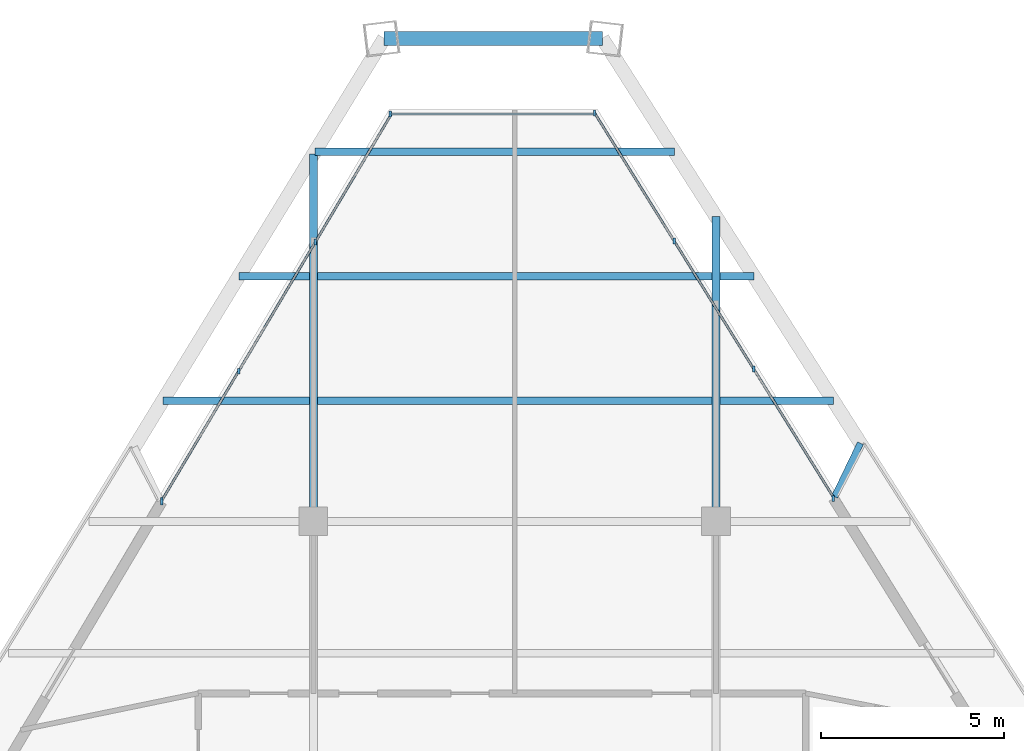
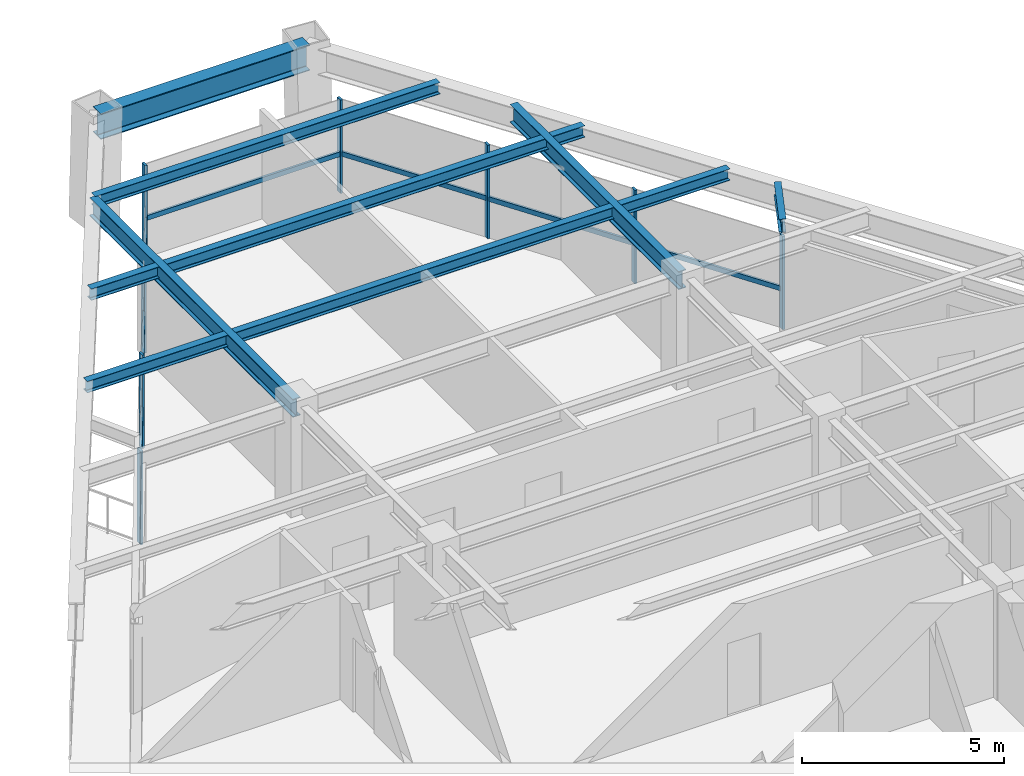
# One storey, part 6 of 12: 16 members, 10 beams, 3 elements without a shape of their own.
"""IFC4 building model written with IfcOpenShell, lengths in metres."""

from ifc_helpers import new_model, si_unit, direction, frame, origin, origin_2d, place, context, subcontext, project, spatial, rectangle, i_section, extrude, source, transform, mapped, material, material_profile, profile_set, type_object, element, aggregate, save


model = new_model("IFC4")

# Units and contexts
model_context = context("Model", 3, precision=1e-05, world=origin(), true_north=direction((0.0, 1.0)))
body_context = subcontext(model_context, "Body", "Model", "MODEL_VIEW")
ifc_project = project(units=[si_unit("LENGTHUNIT", "METRE"), si_unit("AREAUNIT", "SQUARE_METRE"), si_unit("VOLUMEUNIT", "CUBIC_METRE"), si_unit("PLANEANGLEUNIT", "RADIAN"), si_unit("MASSUNIT", "GRAM", prefix="KILO")], contexts=[model_context])

# Site, building, storey
site_placement = place(None, origin())
site = spatial("IfcSite", under=ifc_project, at=site_placement, CompositionType="ELEMENT")
building_placement = place(site_placement, origin())
building = spatial("IfcBuilding", under=site, at=building_placement, Name="Varnakhor Terracotta Tower", CompositionType="ELEMENT")
storey_placement = place(building_placement, frame((0.0, 0.0, 230.35009765625)))
storey = spatial("IfcBuildingStorey", under=building, at=storey_placement, Name="L59", CompositionType="ELEMENT", Elevation=230.35009765625)

# Beams
ifc_material_1 = material(Name="Steel S355", Category="steel")
ifc_material_profile_1 = material_profile(ifc_material_1, i_section(OverallWidth=0.202880859375, OverallDepth=0.346923828125, WebThickness=0.0078125, FlangeThickness=0.013427734375, FilletRadius=0.01806640625, at=origin_2d()), Name="W14X43")
ifc_profile_set_1 = profile_set([ifc_material_profile_1], Name="Steel S355")
beam_type_1 = type_object("IfcBeamType", Name="JST-W14X43", PredefinedType="JOIST", material=ifc_profile_set_1)
shared_shape_1 = source(origin(), body_context, "Body", "SweptSolid", [
    extrude(i_section(OverallWidth=0.202880859375, OverallDepth=0.346923828125, WebThickness=0.0078125, FlangeThickness=0.013427734375, FilletRadius=0.01806640625, at=origin_2d()), origin(), (0.0, 0.0, 1.0), 10.7939453125),
])
beam_1_placement = place(storey_placement, frame((-5.39697265625, 34.800048828125, 3.06640625), z_axis=(1.0, 0.0, 0.0), x_axis=(0.0, 1.0, 0.0)))
element("IfcBeam", 1, at=beam_1_placement, inside=storey, type_object=beam_type_1, Name="L59 Composite Floor Joist 7-2", PredefinedType="JOIST", context=body_context, shape_type="MappedRepresentation", body=[
    mapped(shared_shape_1, transform((0.0, 0.0, 0.0), scale=1.0)),
])
ifc_material_profile_2 = material_profile(ifc_material_1, i_section(OverallWidth=0.381103515625, OverallDepth=0.77294921875, WebThickness=0.01708984375, FlangeThickness=0.027099609375, FilletRadius=0.01806640625, at=origin_2d()), Name="W30X173")
ifc_profile_set_2 = profile_set([ifc_material_profile_2], Name="Steel S355")
beam_type_2 = type_object("IfcBeamType", Name="BM-W30X173", PredefinedType="BEAM", material=ifc_profile_set_2)
shared_shape_2 = source(origin(), body_context, "Body", "SweptSolid", [
    extrude(i_section(OverallWidth=0.381103515625, OverallDepth=0.77294921875, WebThickness=0.01708984375, FlangeThickness=0.027099609375, FilletRadius=0.01806640625, at=origin_2d()), origin(), (0.0, 0.0, 1.0), 5.9599609375),
])
beam_2_placement = place(storey_placement, frame((2.39306640625, 44.70068359375, 2.853515625), z_axis=(-1.0, 0.0, 0.0), x_axis=(0.0, -1.0, 0.0)))
element("IfcBeam", 2, at=beam_2_placement, inside=storey, type_object=beam_type_2, Name="L59 Perimeter Spandrel 5", PredefinedType="BEAM", context=body_context, shape_type="MappedRepresentation", body=[
    mapped(shared_shape_2, transform((0.0, 0.0, 0.0), scale=1.0)),
])
ifc_material_profile_3 = material_profile(ifc_material_1, i_section(OverallWidth=0.214111328125, OverallDepth=0.549072265625, WebThickness=0.014892578125, FlangeThickness=0.02392578125, FilletRadius=0.01806640625, at=origin_2d()), Name="W21X93")
ifc_profile_set_3 = profile_set([ifc_material_profile_3], Name="Steel S355")
beam_type_3 = type_object("IfcBeamType", Name="BM-W21X93", PredefinedType="BEAM", material=ifc_profile_set_3)
shared_shape_3 = source(origin(), body_context, "Body", "SweptSolid", [
    extrude(i_section(OverallWidth=0.214111328125, OverallDepth=0.549072265625, WebThickness=0.014892578125, FlangeThickness=0.02392578125, FilletRadius=0.01806640625, at=origin_2d()), origin(), (0.0, 0.0, 1.0), 10.0380859375),
])
beam_3_placement = place(storey_placement, frame((-5.5, 31.5, 2.96533203125), z_axis=(0.0, 1.0, 0.0), x_axis=(-1.0, 0.0, 0.0)))
element("IfcBeam", 3, at=beam_3_placement, inside=storey, type_object=beam_type_3, Name="L59 Primary Girder NS3-W", PredefinedType="BEAM", context=body_context, shape_type="MappedRepresentation", body=[
    mapped(shared_shape_3, transform((0.0, 0.0, 0.0), scale=1.0)),
])
shared_shape_4 = source(origin(), body_context, "Body", "SweptSolid", [
    extrude(i_section(OverallWidth=0.214111328125, OverallDepth=0.549072265625, WebThickness=0.014892578125, FlangeThickness=0.02392578125, FilletRadius=0.01806640625, at=origin_2d()), origin(), (0.0, 0.0, 1.0), 8.326904296875),
])
beam_4_placement = place(storey_placement, frame((5.5, 31.5, 2.96533203125), z_axis=(0.0, 1.0, 0.0), x_axis=(-1.0, 0.0, 0.0)))
element("IfcBeam", 4, at=beam_4_placement, inside=storey, type_object=beam_type_3, Name="L59 Primary Girder NS3-E", PredefinedType="BEAM", context=body_context, shape_type="MappedRepresentation", body=[
    mapped(shared_shape_4, transform((0.0, 0.0, 0.0), scale=1.0)),
])
shared_shape_5 = source(origin(), body_context, "Body", "SweptSolid", [
    extrude(i_section(OverallWidth=0.202880859375, OverallDepth=0.346923828125, WebThickness=0.0078125, FlangeThickness=0.013427734375, FilletRadius=0.01806640625, at=origin_2d()), origin(), (0.0, 0.0, 1.0), 4.015380859375),
])
beam_5_placement = place(storey_placement, frame((-9.618408203125, 34.800048828125, 3.06640625), z_axis=(1.0, 0.0, 0.0), x_axis=(0.0, 1.0, 0.0)))
element("IfcBeam", 5, at=beam_5_placement, inside=storey, type_object=beam_type_1, Name="L59 Composite Floor Joist 7-1", PredefinedType="JOIST", context=body_context, shape_type="MappedRepresentation", body=[
    mapped(shared_shape_5, transform((0.0, 0.0, 0.0), scale=1.0)),
])
shared_shape_6 = source(origin(), body_context, "Body", "SweptSolid", [
    extrude(i_section(OverallWidth=0.202880859375, OverallDepth=0.346923828125, WebThickness=0.0078125, FlangeThickness=0.013427734375, FilletRadius=0.01806640625, at=origin_2d()), origin(), (0.0, 0.0, 1.0), 3.1015625),
])
beam_6_placement = place(storey_placement, frame((5.60302734375, 34.800048828125, 3.06640625), z_axis=(1.0, 0.0, 0.0), x_axis=(0.0, 1.0, 0.0)))
element("IfcBeam", 6, at=beam_6_placement, inside=storey, type_object=beam_type_1, Name="L59 Composite Floor Joist 7-3", PredefinedType="JOIST", context=body_context, shape_type="MappedRepresentation", body=[
    mapped(shared_shape_6, transform((0.0, 0.0, 0.0), scale=1.0)),
])
shared_shape_7 = source(origin(), body_context, "Body", "SweptSolid", [
    extrude(i_section(OverallWidth=0.202880859375, OverallDepth=0.346923828125, WebThickness=0.0078125, FlangeThickness=0.013427734375, FilletRadius=0.01806640625, at=origin_2d()), origin(), (0.0, 0.0, 1.0), 1.937255859375),
])
beam_7_placement = place(storey_placement, frame((-7.540283203125, 38.199951171875, 3.06640625), z_axis=(1.0, 0.0, 0.0), x_axis=(0.0, 1.0, 0.0)))
element("IfcBeam", 7, at=beam_7_placement, inside=storey, type_object=beam_type_1, Name="L59 Composite Floor Joist 8-1", PredefinedType="JOIST", context=body_context, shape_type="MappedRepresentation", body=[
    mapped(shared_shape_7, transform((0.0, 0.0, 0.0), scale=1.0)),
])
shared_shape_8 = source(origin(), body_context, "Body", "SweptSolid", [
    extrude(i_section(OverallWidth=0.202880859375, OverallDepth=0.346923828125, WebThickness=0.0078125, FlangeThickness=0.013427734375, FilletRadius=0.01806640625, at=origin_2d()), origin(), (0.0, 0.0, 1.0), 11.93408203125),
])
beam_8_placement = place(storey_placement, frame((-5.39697265625, 38.199951171875, 3.06640625), z_axis=(1.0, 0.0, 0.0), x_axis=(0.0, 1.0, 0.0)))
element("IfcBeam", 8, at=beam_8_placement, inside=storey, type_object=beam_type_1, Name="L59 Composite Floor Joist 8-2", PredefinedType="JOIST", context=body_context, shape_type="MappedRepresentation", body=[
    mapped(shared_shape_8, transform((0.0, 0.0, 0.0), scale=1.0)),
])
shared_shape_9 = source(origin(), body_context, "Body", "SweptSolid", [
    extrude(i_section(OverallWidth=0.202880859375, OverallDepth=0.346923828125, WebThickness=0.0078125, FlangeThickness=0.013427734375, FilletRadius=0.01806640625, at=origin_2d()), origin(), (0.0, 0.0, 1.0), 9.831787109375),
])
beam_9_placement = place(storey_placement, frame((-5.462158203125, 41.60009765625, 3.06640625), z_axis=(1.0, 0.0, 0.0), x_axis=(0.0, 1.0, 0.0)))
element("IfcBeam", 9, at=beam_9_placement, inside=storey, type_object=beam_type_1, Name="L59 Composite Floor Joist 9-1", PredefinedType="JOIST", context=body_context, shape_type="MappedRepresentation", body=[
    mapped(shared_shape_9, transform((0.0, 0.0, 0.0), scale=1.0)),
])
ifc_material_profile_4 = material_profile(ifc_material_1, i_section(OverallWidth=0.179931640625, OverallDepth=0.39990234375, WebThickness=0.008544921875, FlangeThickness=0.013427734375, FilletRadius=0.01806640625, at=origin_2d()), Name="IPE400")
ifc_profile_set_4 = profile_set([ifc_material_profile_4], Name="Steel S355")
beam_type_4 = type_object("IfcBeamType", Name="JST-IPE400", PredefinedType="JOIST", material=ifc_profile_set_4)
shared_shape_10 = source(origin(), body_context, "Body", "SweptSolid", [
    extrude(i_section(OverallWidth=0.179931640625, OverallDepth=0.39990234375, WebThickness=0.008544921875, FlangeThickness=0.013427734375, FilletRadius=0.01806640625, at=origin_2d()), origin(), (0.0, 0.0, 1.0), 1.62255859375),
])
beam_10_placement = place(storey_placement, frame((8.743408203125, 32.17236328125, 3.039794921875), z_axis=(0.434105141668, 0.900862212537, 0.0), x_axis=(-0.900862212537, 0.434105141668, 0.0)))
element("IfcBeam", 10, at=beam_10_placement, inside=storey, type_object=beam_type_4, Name="L60 E Loggia Tie Beam 1", PredefinedType="JOIST", context=body_context, shape_type="MappedRepresentation", body=[
    mapped(shared_shape_10, transform((0.0, 0.0, 0.0), scale=1.0)),
])

# Curtain wall, members
ifc_material_2 = material(Name="Anodised Aluminium Curtain Wall System", Category="aluminium")
curtain_wall_type = type_object("IfcCurtainWallType", Name="CW-SYS-HOTEL-LOGGIA", PredefinedType="NOTDEFINED", material=ifc_material_2)
curtain_wall_1_placement = place(storey_placement, origin())
curtain_wall_1 = element("IfcCurtainWall", 11, at=curtain_wall_1_placement, inside=storey, type_object=curtain_wall_type, Name="L59 W Facet Curtain Wall 2", PredefinedType="NOTDEFINED")
ifc_material_3 = material(Name="Anodised Aluminium 6063-T6", Category="aluminium")
ifc_material_profile_5 = material_profile(ifc_material_3, rectangle(XDim=0.06494140625, YDim=0.159912109375, at=origin_2d()), Name="ALU MULLION 65x160")
ifc_profile_set_5 = profile_set([ifc_material_profile_5], Name="Anodised Aluminium 6063-T6")
member_type_1 = type_object("IfcMemberType", Name="CWM-04", PredefinedType="MULLION", material=ifc_profile_set_5)
shared_shape_11 = source(origin(), body_context, "Body", "SweptSolid", [
    extrude(rectangle(XDim=0.06494140625, YDim=0.159912109375, at=origin_2d()), origin(), (0.0, 0.0, 1.0), 2.81982421875),
])
member_1_placement = place(storey_placement, frame((-9.6455078125, 32.069091796875, 0.0), z_axis=(0.0, 0.0, 1.0), x_axis=(1.0, 0.0, 0.0)))
member_1 = element("IfcMember", 12, at=member_1_placement, type_object=member_type_1, Name="L59 W Facet Curtain Wall 2 Mullion 1", PredefinedType="MULLION", context=body_context, shape_type="MappedRepresentation", body=[
    mapped(shared_shape_11, transform((0.0, 0.0, 0.0), scale=1.0)),
])
member_2_placement = place(storey_placement, frame((-7.546630859375, 35.601318359375, 0.0), z_axis=(0.0, 0.0, 1.0), x_axis=(1.0, 0.0, 0.0)))
member_2 = element("IfcMember", 13, at=member_2_placement, type_object=member_type_1, Name="L59 W Facet Curtain Wall 2 Mullion 2", PredefinedType="MULLION", context=body_context, shape_type="MappedRepresentation", body=[
    mapped(shared_shape_11, transform((0.0, 0.0, 0.0), scale=1.0)),
])
member_3_placement = place(storey_placement, frame((-5.44775390625, 39.133544921875, 0.0), z_axis=(0.0, 0.0, 1.0), x_axis=(1.0, 0.0, 0.0)))
member_3 = element("IfcMember", 14, at=member_3_placement, type_object=member_type_1, Name="L59 W Facet Curtain Wall 2 Mullion 3", PredefinedType="MULLION", context=body_context, shape_type="MappedRepresentation", body=[
    mapped(shared_shape_11, transform((0.0, 0.0, 0.0), scale=1.0)),
])
member_4_placement = place(storey_placement, frame((-9.6435546875, 32.033203125, 0.0), z_axis=(0.0, 0.0, 1.0), x_axis=(1.0, 0.0, 0.0)))
member_4 = element("IfcMember", 15, at=member_4_placement, type_object=member_type_1, Name="L59 W Loggia Jamb Closure Mullion 2", PredefinedType="MULLION", context=body_context, shape_type="MappedRepresentation", body=[
    mapped(shared_shape_11, transform((0.0, 0.0, 0.0), scale=1.0)),
])

# Curtain wall, member
curtain_wall_2_placement = place(storey_placement, origin())
curtain_wall_2 = element("IfcCurtainWall", 16, at=curtain_wall_2_placement, inside=storey, type_object=curtain_wall_type, Name="L59 Facet Curtain Wall 2", PredefinedType="NOTDEFINED")
member_5_placement = place(storey_placement, frame((-3.40673828125, 42.6328125, 0.0), z_axis=(0.0, 0.0, 1.0), x_axis=(1.0, 0.0, 0.0)))
member_5 = element("IfcMember", 17, at=member_5_placement, type_object=member_type_1, Name="L59 Facet Curtain Wall 2 Mullion 1", PredefinedType="MULLION", context=body_context, shape_type="MappedRepresentation", body=[
    mapped(shared_shape_11, transform((0.0, 0.0, 0.0), scale=1.0)),
])

# Curtain wall, members
curtain_wall_3_placement = place(storey_placement, origin())
curtain_wall_3 = element("IfcCurtainWall", 18, at=curtain_wall_3_placement, inside=storey, type_object=curtain_wall_type, Name="L59 E Facet Curtain Wall 1", PredefinedType="NOTDEFINED")
member_6_placement = place(storey_placement, frame((2.180419921875, 42.6640625, 0.0), z_axis=(0.0, 0.0, 1.0), x_axis=(1.0, 0.0, 0.0)))
member_6 = element("IfcMember", 19, at=member_6_placement, type_object=member_type_1, Name="L59 E Facet Curtain Wall 1 Mullion 1", PredefinedType="MULLION", context=body_context, shape_type="MappedRepresentation", body=[
    mapped(shared_shape_11, transform((0.0, 0.0, 0.0), scale=1.0)),
])
member_7_placement = place(storey_placement, frame((4.3564453125, 39.1630859375, 0.0), z_axis=(0.0, 0.0, 1.0), x_axis=(1.0, 0.0, 0.0)))
member_7 = element("IfcMember", 20, at=member_7_placement, type_object=member_type_1, Name="L59 E Facet Curtain Wall 1 Mullion 2", PredefinedType="MULLION", context=body_context, shape_type="MappedRepresentation", body=[
    mapped(shared_shape_11, transform((0.0, 0.0, 0.0), scale=1.0)),
])
member_8_placement = place(storey_placement, frame((6.532470703125, 35.662353515625, 0.0), z_axis=(0.0, 0.0, 1.0), x_axis=(1.0, 0.0, 0.0)))
member_8 = element("IfcMember", 21, at=member_8_placement, type_object=member_type_1, Name="L59 E Facet Curtain Wall 1 Mullion 3", PredefinedType="MULLION", context=body_context, shape_type="MappedRepresentation", body=[
    mapped(shared_shape_11, transform((0.0, 0.0, 0.0), scale=1.0)),
])
member_9_placement = place(storey_placement, frame((8.70751953125, 32.12548828125, 0.0), z_axis=(0.0, 0.0, 1.0), x_axis=(1.0, 0.0, 0.0)))
member_9 = element("IfcMember", 22, at=member_9_placement, type_object=member_type_1, Name="L59 E Loggia Jamb Closure Mullion 1", PredefinedType="MULLION", context=body_context, shape_type="MappedRepresentation", body=[
    mapped(shared_shape_11, transform((0.0, 0.0, 0.0), scale=1.0)),
])

# Member
ifc_material_profile_6 = material_profile(ifc_material_3, rectangle(XDim=0.06494140625, YDim=0.14501953125, at=origin_2d()), Name="ALU TRANSOM 65x145")
ifc_profile_set_6 = profile_set([ifc_material_profile_6], Name="Anodised Aluminium 6063-T6")
member_type_2 = type_object("IfcMemberType", Name="CWT-04", PredefinedType="USERDEFINED", material=ifc_profile_set_6)
shared_shape_12 = source(origin(), body_context, "Body", "SweptSolid", [
    extrude(rectangle(XDim=0.06494140625, YDim=0.14501953125, at=origin_2d()), origin(), (0.0, 0.0, 1.0), 4.108642578125),
])
member_10_placement = place(storey_placement, frame((-9.6455078125, 32.069091796875, 1.184326171875), z_axis=(0.510829773392, 0.859681884546, 0.0), x_axis=(-0.859681884546, 0.510829773392, 0.0)))
member_10 = element("IfcMember", 23, at=member_10_placement, type_object=member_type_2, Name="L59 W Facet Curtain Wall 2 Transom 1", ObjectType="TRANSOM", PredefinedType="USERDEFINED", context=body_context, shape_type="MappedRepresentation", body=[
    mapped(shared_shape_12, transform((0.0, 0.0, 0.0), scale=1.0)),
])

member_11_placement = place(storey_placement, frame((-7.546630859375, 35.601318359375, 1.184326171875), z_axis=(0.510829773392, 0.859681884546, 0.0), x_axis=(-0.859681884546, 0.510829773392, 0.0)))
member_11 = element("IfcMember", 24, at=member_11_placement, type_object=member_type_2, Name="L59 W Facet Curtain Wall 2 Transom 2", ObjectType="TRANSOM", PredefinedType="USERDEFINED", context=body_context, shape_type="MappedRepresentation", body=[
    mapped(shared_shape_12, transform((0.0, 0.0, 0.0), scale=1.0)),
])

member_12_placement = place(storey_placement, frame((-5.44775390625, 39.133544921875, 1.184326171875), z_axis=(0.510829773392, 0.859681884546, 0.0), x_axis=(-0.859681884546, 0.510829773392, 0.0)))
member_12 = element("IfcMember", 25, at=member_12_placement, type_object=member_type_2, Name="L59 W Facet Curtain Wall 2 Transom 3", ObjectType="TRANSOM", PredefinedType="USERDEFINED", context=body_context, shape_type="MappedRepresentation", body=[
    mapped(shared_shape_12, transform((0.0, 0.0, 0.0), scale=1.0)),
])

aggregate(curtain_wall_1, [member_1, member_10, member_2, member_11, member_3, member_12, member_4])

shared_shape_13 = source(origin(), body_context, "Body", "SweptSolid", [
    extrude(rectangle(XDim=0.06494140625, YDim=0.14501953125, at=origin_2d()), origin(), (0.0, 0.0, 1.0), 5.643310546875),
])
member_13_placement = place(storey_placement, frame((-3.40673828125, 42.6328125, 1.184326171875), z_axis=(1.0, 0.0, 0.0), x_axis=(0.0, 1.0, 0.0)))
member_13 = element("IfcMember", 26, at=member_13_placement, type_object=member_type_2, Name="L59 Facet Curtain Wall 2 Transom 1", ObjectType="TRANSOM", PredefinedType="USERDEFINED", context=body_context, shape_type="MappedRepresentation", body=[
    mapped(shared_shape_13, transform((0.0, 0.0, 0.0), scale=1.0)),
])

aggregate(curtain_wall_2, [member_5, member_13])

shared_shape_14 = source(origin(), body_context, "Body", "SweptSolid", [
    extrude(rectangle(XDim=0.06494140625, YDim=0.14501953125, at=origin_2d()), origin(), (0.0, 0.0, 1.0), 4.1220703125),
])
member_14_placement = place(storey_placement, frame((2.180419921875, 42.6640625, 1.184326171875), z_axis=(0.527889091736, -0.849313314876, 0.0), x_axis=(0.849313314876, 0.527889091736, 0.0)))
member_14 = element("IfcMember", 27, at=member_14_placement, type_object=member_type_2, Name="L59 E Facet Curtain Wall 1 Transom 1", ObjectType="TRANSOM", PredefinedType="USERDEFINED", context=body_context, shape_type="MappedRepresentation", body=[
    mapped(shared_shape_14, transform((0.0, 0.0, 0.0), scale=1.0)),
])

member_15_placement = place(storey_placement, frame((6.532470703125, 35.662353515625, 1.184326171875), z_axis=(0.527889091736, -0.849313314876, 0.0), x_axis=(0.849313314876, 0.527889091736, 0.0)))
member_15 = element("IfcMember", 28, at=member_15_placement, type_object=member_type_2, Name="L59 E Facet Curtain Wall 1 Transom 3", ObjectType="TRANSOM", PredefinedType="USERDEFINED", context=body_context, shape_type="MappedRepresentation", body=[
    mapped(shared_shape_14, transform((0.0, 0.0, 0.0), scale=1.0)),
])

shared_shape_15 = source(origin(), body_context, "Body", "SweptSolid", [
    extrude(rectangle(XDim=0.06494140625, YDim=0.14501953125, at=origin_2d()), origin(), (0.0, 0.0, 1.0), 4.121826171875),
])
member_16_placement = place(storey_placement, frame((4.3564453125, 39.1630859375, 1.184326171875), z_axis=(0.52791564678, -0.849296809063, 0.0), x_axis=(0.849296809063, 0.52791564678, 0.0)))
member_16 = element("IfcMember", 29, at=member_16_placement, type_object=member_type_2, Name="L59 E Facet Curtain Wall 1 Transom 2", ObjectType="TRANSOM", PredefinedType="USERDEFINED", context=body_context, shape_type="MappedRepresentation", body=[
    mapped(shared_shape_15, transform((0.0, 0.0, 0.0), scale=1.0)),
])

aggregate(curtain_wall_3, [member_6, member_14, member_7, member_16, member_8, member_15, member_9])

save(model, "model.ifc")
